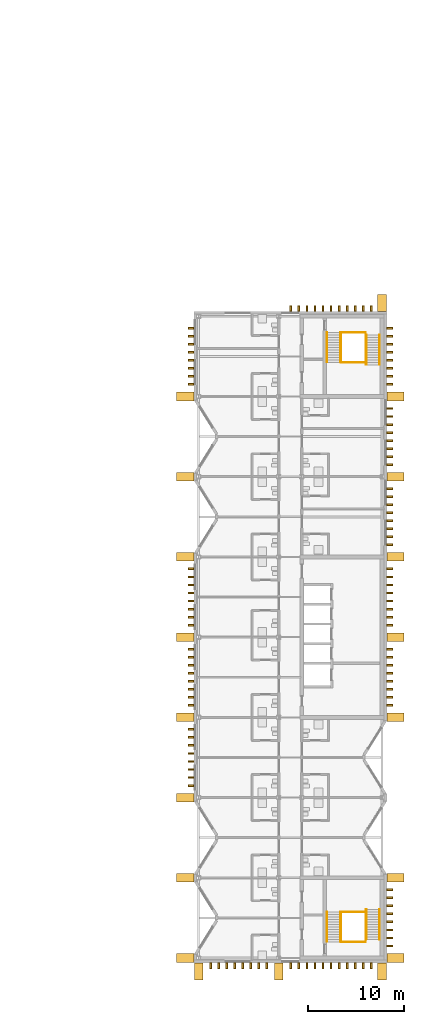
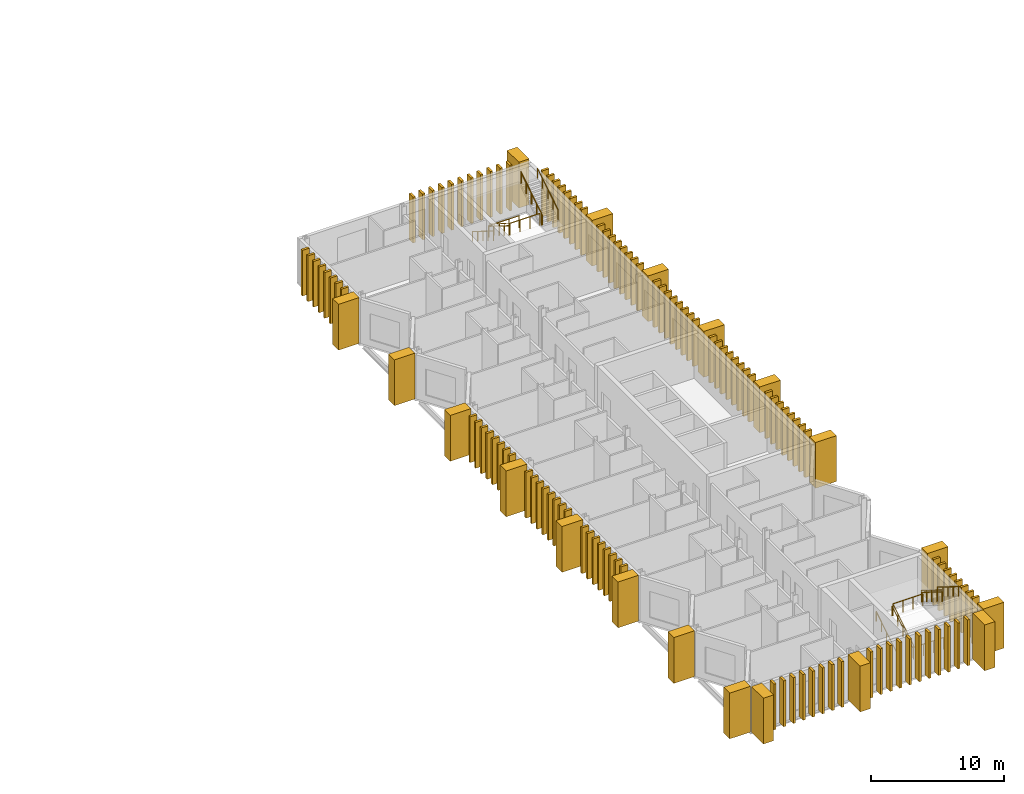
# One storey, part 16 of 17: 129 coverings, 16 railings.
"""IFC4 building model written with IfcOpenShell, lengths in metres."""

from ifc_helpers import new_model, si_unit, direction, frame, origin, origin_2d, place, context, subcontext, project, spatial, rectangle, circle, extrude, material, type_object, element, save


model = new_model("IFC4")

# Units and contexts
model_context = context("Model", 3, precision=1e-05, world=origin(), true_north=direction((0.0, 1.0)))
body_context = subcontext(model_context, "Body", "Model", "MODEL_VIEW")
ifc_project = project(units=[si_unit("LENGTHUNIT", "METRE"), si_unit("AREAUNIT", "SQUARE_METRE"), si_unit("VOLUMEUNIT", "CUBIC_METRE"), si_unit("PLANEANGLEUNIT", "RADIAN"), si_unit("MASSUNIT", "GRAM", prefix="KILO")], contexts=[model_context])

# Site, building, storey
site_placement = place(None, origin())
site = spatial("IfcSite", under=ifc_project, at=site_placement, CompositionType="ELEMENT")
building_placement = place(site_placement, origin())
building = spatial("IfcBuilding", under=site, at=building_placement, Name="Cresset Court Congress Hotel", CompositionType="ELEMENT")
storey_placement = place(building_placement, frame((0.0, 0.0, 31.199951171875)))
storey = spatial("IfcBuildingStorey", under=building, at=storey_placement, Name="L07", CompositionType="ELEMENT", Elevation=31.199951171875)

# Coverings
ifc_material_1 = material(Name="Precast concrete C50", Category="concrete")
covering_type_1 = type_object("IfcCoveringType", Name="Precast stone fin 200x600", PredefinedType="CLADDING", material=ifc_material_1)
for number, where, z_axis, x_axis, name in (
    (1, (177.199951171875, 1.260009765625, 0.0), (0.0, 0.0, 1.0), (1.0, 0.0, 0.0), "Fin E002"),
    (2, (177.199951171875, 2.10009765625, 0.0), (0.0, 0.0, 1.0), (1.0, 0.0, 0.0), "Fin E003"),
    (3, (177.199951171875, 2.93994140625, 0.0), (0.0, 0.0, 1.0), (1.0, 0.0, 0.0), "Fin E004"),
    (4, (177.199951171875, 3.780029296875, 0.0), (0.0, 0.0, 1.0), (1.0, 0.0, 0.0), "Fin E005"),
    (5, (177.199951171875, 4.6201171875, 0.0), (0.0, 0.0, 1.0), (1.0, 0.0, 0.0), "Fin E006"),
    (6, (177.199951171875, 5.4599609375, 0.0), (0.0, 0.0, 1.0), (1.0, 0.0, 0.0), "Fin E007"),
    (7, (177.199951171875, 6.300048828125, 0.0), (0.0, 0.0, 1.0), (1.0, 0.0, 0.0), "Fin E008"),
    (8, (177.199951171875, 7.139892578125, 0.0), (0.0, 0.0, 1.0), (1.0, 0.0, 0.0), "Fin E009"),
    (9, (177.199951171875, 26.4599609375, 0.0), (0.0, 0.0, 1.0), (1.0, 0.0, 0.0), "Fin E032"),
    (10, (177.199951171875, 27.300048828125, 0.0), (0.0, 0.0, 1.0), (1.0, 0.0, 0.0), "Fin E033"),
    (11, (177.199951171875, 28.139892578125, 0.0), (0.0, 0.0, 1.0), (1.0, 0.0, 0.0), "Fin E034"),
    (12, (177.199951171875, 28.97998046875, 0.0), (0.0, 0.0, 1.0), (1.0, 0.0, 0.0), "Fin E035"),
    (13, (177.199951171875, 29.820068359375, 0.0), (0.0, 0.0, 1.0), (1.0, 0.0, 0.0), "Fin E036"),
    (14, (177.199951171875, 30.659912109375, 0.0), (0.0, 0.0, 1.0), (1.0, 0.0, 0.0), "Fin E037"),
    (15, (177.199951171875, 31.5, 0.0), (0.0, 0.0, 1.0), (1.0, 0.0, 0.0), "Fin E038"),
    (16, (177.199951171875, 32.340087890625, 0.0), (0.0, 0.0, 1.0), (1.0, 0.0, 0.0), "Fin E039"),
    (17, (177.199951171875, 34.860107421875, 0.0), (0.0, 0.0, 1.0), (1.0, 0.0, 0.0), "Fin E042"),
    (18, (177.199951171875, 35.699951171875, 0.0), (0.0, 0.0, 1.0), (1.0, 0.0, 0.0), "Fin E043"),
    (19, (177.199951171875, 36.5400390625, 0.0), (0.0, 0.0, 1.0), (1.0, 0.0, 0.0), "Fin E044"),
    (20, (177.199951171875, 37.3798828125, 0.0), (0.0, 0.0, 1.0), (1.0, 0.0, 0.0), "Fin E045"),
    (21, (177.199951171875, 38.219970703125, 0.0), (0.0, 0.0, 1.0), (1.0, 0.0, 0.0), "Fin E046"),
    (22, (177.199951171875, 39.06005859375, 0.0), (0.0, 0.0, 1.0), (1.0, 0.0, 0.0), "Fin E047"),
    (23, (177.199951171875, 39.89990234375, 0.0), (0.0, 0.0, 1.0), (1.0, 0.0, 0.0), "Fin E048"),
    (24, (177.199951171875, 40.739990234375, 0.0), (0.0, 0.0, 1.0), (1.0, 0.0, 0.0), "Fin E049"),
    (25, (177.199951171875, 43.260009765625, 0.0), (0.0, 0.0, 1.0), (1.0, 0.0, 0.0), "Fin E052"),
    (26, (177.199951171875, 44.10009765625, 0.0), (0.0, 0.0, 1.0), (1.0, 0.0, 0.0), "Fin E053"),
    (27, (177.199951171875, 44.93994140625, 0.0), (0.0, 0.0, 1.0), (1.0, 0.0, 0.0), "Fin E054"),
    (28, (177.199951171875, 45.780029296875, 0.0), (0.0, 0.0, 1.0), (1.0, 0.0, 0.0), "Fin E055"),
    (29, (177.199951171875, 46.6201171875, 0.0), (0.0, 0.0, 1.0), (1.0, 0.0, 0.0), "Fin E056"),
    (30, (177.199951171875, 47.4599609375, 0.0), (0.0, 0.0, 1.0), (1.0, 0.0, 0.0), "Fin E057"),
    (31, (177.199951171875, 48.300048828125, 0.0), (0.0, 0.0, 1.0), (1.0, 0.0, 0.0), "Fin E058"),
    (32, (177.199951171875, 49.139892578125, 0.0), (0.0, 0.0, 1.0), (1.0, 0.0, 0.0), "Fin E059"),
    (33, (177.199951171875, 51.659912109375, 0.0), (0.0, 0.0, 1.0), (1.0, 0.0, 0.0), "Fin E062"),
    (34, (177.199951171875, 52.5, 0.0), (0.0, 0.0, 1.0), (1.0, 0.0, 0.0), "Fin E063"),
    (35, (177.199951171875, 53.340087890625, 0.0), (0.0, 0.0, 1.0), (1.0, 0.0, 0.0), "Fin E064"),
    (36, (177.199951171875, 54.179931640625, 0.0), (0.0, 0.0, 1.0), (1.0, 0.0, 0.0), "Fin E065"),
    (37, (177.199951171875, 55.02001953125, 0.0), (0.0, 0.0, 1.0), (1.0, 0.0, 0.0), "Fin E066"),
    (38, (177.199951171875, 55.860107421875, 0.0), (0.0, 0.0, 1.0), (1.0, 0.0, 0.0), "Fin E067"),
    (39, (177.199951171875, 56.699951171875, 0.0), (0.0, 0.0, 1.0), (1.0, 0.0, 0.0), "Fin E068"),
    (40, (177.199951171875, 57.5400390625, 0.0), (0.0, 0.0, 1.0), (1.0, 0.0, 0.0), "Fin E069"),
    (41, (177.199951171875, 60.06005859375, 0.0), (0.0, 0.0, 1.0), (1.0, 0.0, 0.0), "Fin E072"),
    (42, (177.199951171875, 60.89990234375, 0.0), (0.0, 0.0, 1.0), (1.0, 0.0, 0.0), "Fin E073"),
    (43, (177.199951171875, 61.739990234375, 0.0), (0.0, 0.0, 1.0), (1.0, 0.0, 0.0), "Fin E074"),
    (44, (177.199951171875, 62.580078125, 0.0), (0.0, 0.0, 1.0), (1.0, 0.0, 0.0), "Fin E075"),
    (45, (177.199951171875, 63.419921875, 0.0), (0.0, 0.0, 1.0), (1.0, 0.0, 0.0), "Fin E076"),
    (46, (177.199951171875, 64.260009765625, 0.0), (0.0, 0.0, 1.0), (1.0, 0.0, 0.0), "Fin E077"),
    (47, (177.199951171875, 65.10009765625, 0.0), (0.0, 0.0, 1.0), (1.0, 0.0, 0.0), "Fin E078"),
    (48, (177.199951171875, 65.93994140625, 0.0), (0.0, 0.0, 1.0), (1.0, 0.0, 0.0), "Fin E079"),
    (49, (156.39990234375, 18.06005859375, 0.0), (0.0, 0.0, 1.0), (1.0, 0.0, 0.0), "Fin W022"),
    (50, (156.39990234375, 18.89990234375, 0.0), (0.0, 0.0, 1.0), (1.0, 0.0, 0.0), "Fin W023"),
    (51, (156.39990234375, 19.739990234375, 0.0), (0.0, 0.0, 1.0), (1.0, 0.0, 0.0), "Fin W024"),
    (52, (156.39990234375, 20.580078125, 0.0), (0.0, 0.0, 1.0), (1.0, 0.0, 0.0), "Fin W025"),
    (53, (156.39990234375, 21.419921875, 0.0), (0.0, 0.0, 1.0), (1.0, 0.0, 0.0), "Fin W026"),
    (54, (156.39990234375, 22.260009765625, 0.0), (0.0, 0.0, 1.0), (1.0, 0.0, 0.0), "Fin W027"),
    (55, (156.39990234375, 23.10009765625, 0.0), (0.0, 0.0, 1.0), (1.0, 0.0, 0.0), "Fin W028"),
    (56, (156.39990234375, 23.93994140625, 0.0), (0.0, 0.0, 1.0), (1.0, 0.0, 0.0), "Fin W029"),
    (57, (156.39990234375, 26.4599609375, 0.0), (0.0, 0.0, 1.0), (1.0, 0.0, 0.0), "Fin W032"),
    (58, (156.39990234375, 27.300048828125, 0.0), (0.0, 0.0, 1.0), (1.0, 0.0, 0.0), "Fin W033"),
    (59, (156.39990234375, 28.139892578125, 0.0), (0.0, 0.0, 1.0), (1.0, 0.0, 0.0), "Fin W034"),
    (60, (156.39990234375, 28.97998046875, 0.0), (0.0, 0.0, 1.0), (1.0, 0.0, 0.0), "Fin W035"),
    (61, (156.39990234375, 29.820068359375, 0.0), (0.0, 0.0, 1.0), (1.0, 0.0, 0.0), "Fin W036"),
    (62, (156.39990234375, 30.659912109375, 0.0), (0.0, 0.0, 1.0), (1.0, 0.0, 0.0), "Fin W037"),
    (63, (156.39990234375, 31.5, 0.0), (0.0, 0.0, 1.0), (1.0, 0.0, 0.0), "Fin W038"),
    (64, (156.39990234375, 32.340087890625, 0.0), (0.0, 0.0, 1.0), (1.0, 0.0, 0.0), "Fin W039"),
    (65, (156.39990234375, 34.860107421875, 0.0), (0.0, 0.0, 1.0), (1.0, 0.0, 0.0), "Fin W042"),
    (66, (156.39990234375, 35.699951171875, 0.0), (0.0, 0.0, 1.0), (1.0, 0.0, 0.0), "Fin W043"),
    (67, (156.39990234375, 36.5400390625, 0.0), (0.0, 0.0, 1.0), (1.0, 0.0, 0.0), "Fin W044"),
    (68, (156.39990234375, 37.3798828125, 0.0), (0.0, 0.0, 1.0), (1.0, 0.0, 0.0), "Fin W045"),
    (69, (156.39990234375, 38.219970703125, 0.0), (0.0, 0.0, 1.0), (1.0, 0.0, 0.0), "Fin W046"),
    (70, (156.39990234375, 39.06005859375, 0.0), (0.0, 0.0, 1.0), (1.0, 0.0, 0.0), "Fin W047"),
    (71, (156.39990234375, 39.89990234375, 0.0), (0.0, 0.0, 1.0), (1.0, 0.0, 0.0), "Fin W048"),
    (72, (156.39990234375, 40.739990234375, 0.0), (0.0, 0.0, 1.0), (1.0, 0.0, 0.0), "Fin W049"),
    (73, (156.39990234375, 60.06005859375, 0.0), (0.0, 0.0, 1.0), (1.0, 0.0, 0.0), "Fin W072"),
    (74, (156.39990234375, 60.89990234375, 0.0), (0.0, 0.0, 1.0), (1.0, 0.0, 0.0), "Fin W073"),
    (75, (156.39990234375, 61.739990234375, 0.0), (0.0, 0.0, 1.0), (1.0, 0.0, 0.0), "Fin W074"),
    (76, (156.39990234375, 62.580078125, 0.0), (0.0, 0.0, 1.0), (1.0, 0.0, 0.0), "Fin W075"),
    (77, (156.39990234375, 63.419921875, 0.0), (0.0, 0.0, 1.0), (1.0, 0.0, 0.0), "Fin W076"),
    (78, (156.39990234375, 64.260009765625, 0.0), (0.0, 0.0, 1.0), (1.0, 0.0, 0.0), "Fin W077"),
    (79, (156.39990234375, 65.10009765625, 0.0), (0.0, 0.0, 1.0), (1.0, 0.0, 0.0), "Fin W078"),
    (80, (156.39990234375, 65.93994140625, 0.0), (0.0, 0.0, 1.0), (1.0, 0.0, 0.0), "Fin W079"),
):
    element("IfcCovering", number, at=place(storey_placement, frame(where, z_axis=z_axis, x_axis=x_axis)), inside=storey, type_object=covering_type_1, Name=name, PredefinedType="CLADDING", context=body_context, shape_type="SweptSolid", body=[
        extrude(rectangle(XDim=0.60009765625, YDim=0.199951171875, at=origin_2d()), origin(), (0.0, 0.0, 1.0), 4.199951171875),
    ])
for number, where, z_axis, x_axis, name in (
    (81, (158.4599609375, -0.800048828125, 0.0), (0.0, 0.0, 1.0), (1.0, 0.0, 0.0), "Fin S002"),
    (82, (159.300048828125, -0.800048828125, 0.0), (0.0, 0.0, 1.0), (1.0, 0.0, 0.0), "Fin S003"),
    (83, (160.139892578125, -0.800048828125, 0.0), (0.0, 0.0, 1.0), (1.0, 0.0, 0.0), "Fin S004"),
    (84, (160.97998046875, -0.800048828125, 0.0), (0.0, 0.0, 1.0), (1.0, 0.0, 0.0), "Fin S005"),
    (85, (161.820068359375, -0.800048828125, 0.0), (0.0, 0.0, 1.0), (1.0, 0.0, 0.0), "Fin S006"),
    (86, (162.659912109375, -0.800048828125, 0.0), (0.0, 0.0, 1.0), (1.0, 0.0, 0.0), "Fin S007"),
    (87, (163.5, -0.800048828125, 0.0), (0.0, 0.0, 1.0), (1.0, 0.0, 0.0), "Fin S008"),
    (88, (164.340087890625, -0.800048828125, 0.0), (0.0, 0.0, 1.0), (1.0, 0.0, 0.0), "Fin S009"),
    (89, (166.860107421875, -0.800048828125, 0.0), (0.0, 0.0, 1.0), (1.0, 0.0, 0.0), "Fin S012"),
    (90, (167.699951171875, -0.800048828125, 0.0), (0.0, 0.0, 1.0), (1.0, 0.0, 0.0), "Fin S013"),
    (91, (168.5400390625, -0.800048828125, 0.0), (0.0, 0.0, 1.0), (1.0, 0.0, 0.0), "Fin S014"),
    (92, (169.3798828125, -0.800048828125, 0.0), (0.0, 0.0, 1.0), (1.0, 0.0, 0.0), "Fin S015"),
    (93, (170.219970703125, -0.800048828125, 0.0), (0.0, 0.0, 1.0), (1.0, 0.0, 0.0), "Fin S016"),
    (94, (171.06005859375, -0.800048828125, 0.0), (0.0, 0.0, 1.0), (1.0, 0.0, 0.0), "Fin S017"),
    (95, (171.89990234375, -0.800048828125, 0.0), (0.0, 0.0, 1.0), (1.0, 0.0, 0.0), "Fin S018"),
    (96, (172.739990234375, -0.800048828125, 0.0), (0.0, 0.0, 1.0), (1.0, 0.0, 0.0), "Fin S019"),
    (97, (173.580078125, -0.800048828125, 0.0), (0.0, 0.0, 1.0), (1.0, 0.0, 0.0), "Fin S020"),
    (98, (174.419921875, -0.800048828125, 0.0), (0.0, 0.0, 1.0), (1.0, 0.0, 0.0), "Fin S021"),
    (99, (175.260009765625, -0.800048828125, 0.0), (0.0, 0.0, 1.0), (1.0, 0.0, 0.0), "Fin S022"),
    (100, (166.860107421875, 68.0, 0.0), (0.0, 0.0, 1.0), (1.0, 0.0, 0.0), "Fin N012"),
    (101, (167.699951171875, 68.0, 0.0), (0.0, 0.0, 1.0), (1.0, 0.0, 0.0), "Fin N013"),
    (102, (168.5400390625, 68.0, 0.0), (0.0, 0.0, 1.0), (1.0, 0.0, 0.0), "Fin N014"),
    (103, (169.3798828125, 68.0, 0.0), (0.0, 0.0, 1.0), (1.0, 0.0, 0.0), "Fin N015"),
    (104, (170.219970703125, 68.0, 0.0), (0.0, 0.0, 1.0), (1.0, 0.0, 0.0), "Fin N016"),
    (105, (171.06005859375, 68.0, 0.0), (0.0, 0.0, 1.0), (1.0, 0.0, 0.0), "Fin N017"),
    (106, (171.89990234375, 68.0, 0.0), (0.0, 0.0, 1.0), (1.0, 0.0, 0.0), "Fin N018"),
    (107, (172.739990234375, 68.0, 0.0), (0.0, 0.0, 1.0), (1.0, 0.0, 0.0), "Fin N019"),
    (108, (173.580078125, 68.0, 0.0), (0.0, 0.0, 1.0), (1.0, 0.0, 0.0), "Fin N020"),
    (109, (174.419921875, 68.0, 0.0), (0.0, 0.0, 1.0), (1.0, 0.0, 0.0), "Fin N021"),
    (110, (175.260009765625, 68.0, 0.0), (0.0, 0.0, 1.0), (1.0, 0.0, 0.0), "Fin N022"),
):
    element("IfcCovering", number, at=place(storey_placement, frame(where, z_axis=z_axis, x_axis=x_axis)), inside=storey, type_object=covering_type_1, Name=name, PredefinedType="CLADDING", context=body_context, shape_type="SweptSolid", body=[
        extrude(rectangle(XDim=0.199951171875, YDim=0.60009765625, at=origin_2d()), origin(), (0.0, 0.0, 1.0), 4.199951171875),
    ])
ifc_material_2 = material(Name="Precast concrete C50", Category="concrete")
covering_type_2 = type_object("IfcCoveringType", Name="Precast stone pier 900x1800", PredefinedType="CLADDING", material=ifc_material_2)
for number, where, z_axis, x_axis, name in (
    (111, (177.800048828125, 0.0, 0.0), (0.0, 0.0, 1.0), (1.0, 0.0, 0.0), "Pier E01"),
    (112, (177.800048828125, 8.39990234375, 0.0), (0.0, 0.0, 1.0), (1.0, 0.0, 0.0), "Pier E02"),
    (113, (177.800048828125, 25.199951171875, 0.0), (0.0, 0.0, 1.0), (1.0, 0.0, 0.0), "Pier E03"),
    (114, (177.800048828125, 33.60009765625, 0.0), (0.0, 0.0, 1.0), (1.0, 0.0, 0.0), "Pier E04"),
    (115, (177.800048828125, 42.0, 0.0), (0.0, 0.0, 1.0), (1.0, 0.0, 0.0), "Pier E05"),
    (116, (177.800048828125, 50.39990234375, 0.0), (0.0, 0.0, 1.0), (1.0, 0.0, 0.0), "Pier E06"),
    (117, (177.800048828125, 58.800048828125, 0.0), (0.0, 0.0, 1.0), (1.0, 0.0, 0.0), "Pier E07"),
    (118, (155.800048828125, 0.0, 0.0), (0.0, 0.0, 1.0), (1.0, 0.0, 0.0), "Pier W01"),
    (119, (155.800048828125, 8.39990234375, 0.0), (0.0, 0.0, 1.0), (1.0, 0.0, 0.0), "Pier W02"),
    (120, (155.800048828125, 16.800048828125, 0.0), (0.0, 0.0, 1.0), (1.0, 0.0, 0.0), "Pier W03"),
    (121, (155.800048828125, 25.199951171875, 0.0), (0.0, 0.0, 1.0), (1.0, 0.0, 0.0), "Pier W04"),
    (122, (155.800048828125, 33.60009765625, 0.0), (0.0, 0.0, 1.0), (1.0, 0.0, 0.0), "Pier W05"),
    (123, (155.800048828125, 42.0, 0.0), (0.0, 0.0, 1.0), (1.0, 0.0, 0.0), "Pier W06"),
    (124, (155.800048828125, 50.39990234375, 0.0), (0.0, 0.0, 1.0), (1.0, 0.0, 0.0), "Pier W07"),
    (125, (155.800048828125, 58.800048828125, 0.0), (0.0, 0.0, 1.0), (1.0, 0.0, 0.0), "Pier W08"),
):
    element("IfcCovering", number, at=place(storey_placement, frame(where, z_axis=z_axis, x_axis=x_axis)), inside=storey, type_object=covering_type_2, Name=name, PredefinedType="CLADDING", context=body_context, shape_type="SweptSolid", body=[
        extrude(rectangle(XDim=1.800048828125, YDim=0.89990234375, at=origin_2d()), origin(), (0.0, 0.0, 1.0), 4.199951171875),
    ])
for number, where, z_axis, x_axis, name in (
    (126, (157.199951171875, -1.39990234375, 0.0), (0.0, 0.0, 1.0), (1.0, 0.0, 0.0), "Pier S01"),
    (127, (165.60009765625, -1.39990234375, 0.0), (0.0, 0.0, 1.0), (1.0, 0.0, 0.0), "Pier S02"),
    (128, (176.39990234375, -1.39990234375, 0.0), (0.0, 0.0, 1.0), (1.0, 0.0, 0.0), "Pier S03"),
    (129, (176.39990234375, 68.60009765625, 0.0), (0.0, 0.0, 1.0), (1.0, 0.0, 0.0), "Pier N03"),
):
    element("IfcCovering", number, at=place(storey_placement, frame(where, z_axis=z_axis, x_axis=x_axis)), inside=storey, type_object=covering_type_2, Name=name, PredefinedType="CLADDING", context=body_context, shape_type="SweptSolid", body=[
        extrude(rectangle(XDim=0.89990234375, YDim=1.800048828125, at=origin_2d()), origin(), (0.0, 0.0, 1.0), 4.199951171875),
    ])

# Railings
ifc_material_3 = material(Name="Stainless steel", Category="steel")
railing_type_1 = type_object("IfcRailingType", Name="Stair guard 1100", PredefinedType="GUARDRAIL", material=ifc_material_3)
railing_1_placement = place(storey_placement, frame((172.10009765625, 1.699951171875, 0.16162109375)))
element("IfcRailing", 130, at=railing_1_placement, inside=storey, type_object=railing_type_1, Name="Guard A1 L07", PredefinedType="GUARDRAIL", context=body_context, shape_type="SweptSolid", body=[
    extrude(circle(Radius=0.02392578125, at=origin_2d()), frame((0.0, 0.0, 1.076171875), z_axis=(0.0, 0.849414166554, 0.527726798313), x_axis=(-1.0, 0.0, 0.0)), (0.0, 0.0, 1.0), 3.67333984375),
    extrude(circle(Radius=0.02099609375, at=origin_2d()), origin(), (0.0, 0.0, 1.0), 1.052001953125),
    extrude(circle(Radius=0.02099609375, at=origin_2d()), frame((0.0, 0.780029296875, 0.484619140625)), (0.0, 0.0, 1.0), 1.052001953125),
    extrude(circle(Radius=0.02099609375, at=origin_2d()), frame((0.0, 1.56005859375, 0.96923828125)), (0.0, 0.0, 1.0), 1.052001953125),
    extrude(circle(Radius=0.02099609375, at=origin_2d()), frame((0.0, 2.340087890625, 1.453857421875)), (0.0, 0.0, 1.0), 1.052001953125),
    extrude(circle(Radius=0.02099609375, at=origin_2d()), frame((0.0, 3.1201171875, 1.9384765625)), (0.0, 0.0, 1.0), 1.052001953125),
])
railing_2_placement = place(storey_placement, frame((174.699951171875, 5.080078125, 2.261474609375)))
element("IfcRailing", 131, at=railing_2_placement, inside=storey, type_object=railing_type_1, Name="Guard A1 L07", PredefinedType="GUARDRAIL", context=body_context, shape_type="SweptSolid", body=[
    extrude(circle(Radius=0.02392578125, at=origin_2d()), frame((0.0, 0.0, 1.076171875), z_axis=(0.0, -0.849414166554, 0.527726798313), x_axis=(1.0, 0.0, 0.0)), (0.0, 0.0, 1.0), 3.67333984375),
    extrude(circle(Radius=0.02099609375, at=origin_2d()), origin(), (0.0, 0.0, 1.0), 1.052001953125),
    extrude(circle(Radius=0.02099609375, at=origin_2d()), frame((0.0, -0.780029296875, 0.484619140625)), (0.0, 0.0, 1.0), 1.052001953125),
    extrude(circle(Radius=0.02099609375, at=origin_2d()), frame((0.0, -1.56005859375, 0.96923828125)), (0.0, 0.0, 1.0), 1.052001953125),
    extrude(circle(Radius=0.02099609375, at=origin_2d()), frame((0.0, -2.340087890625, 1.453857421875)), (0.0, 0.0, 1.0), 1.052001953125),
    extrude(circle(Radius=0.02099609375, at=origin_2d()), frame((0.0, -3.1201171875, 1.9384765625)), (0.0, 0.0, 1.0), 1.052001953125),
])
for number, where, name in (
    (132, (172.10009765625, 1.699951171875, 0.0), "Guard A1 L07"),
    (133, (172.10009765625, 4.820068359375, 2.10009765625), "Guard A1 L07"),
):
    element("IfcRailing", number, at=place(storey_placement, frame(where)), inside=storey, type_object=railing_type_1, Name=name, PredefinedType="GUARDRAIL", context=body_context, shape_type="SweptSolid", body=[
        extrude(circle(Radius=0.02392578125, at=origin_2d()), frame((0.0, 0.0, 1.076171875), z_axis=(1.0, 0.0, 0.0), x_axis=(0.0, 1.0, 0.0)), (0.0, 0.0, 1.0), 2.599853515625),
        extrude(circle(Radius=0.02099609375, at=origin_2d()), origin(), (0.0, 0.0, 1.0), 1.052001953125),
        extrude(circle(Radius=0.02099609375, at=origin_2d()), frame((0.86669921875, 0.0, 0.0)), (0.0, 0.0, 1.0), 1.052001953125),
        extrude(circle(Radius=0.02099609375, at=origin_2d()), frame((1.733154296875, 0.0, 0.0)), (0.0, 0.0, 1.0), 1.052001953125),
        extrude(circle(Radius=0.02099609375, at=origin_2d()), frame((2.599853515625, 0.0, 0.0)), (0.0, 0.0, 1.0), 1.052001953125),
    ])
railing_3_placement = place(storey_placement, frame((172.10009765625, 65.5, 0.16162109375)))
element("IfcRailing", 134, at=railing_3_placement, inside=storey, type_object=railing_type_1, Name="Guard A2 L07", PredefinedType="GUARDRAIL", context=body_context, shape_type="SweptSolid", body=[
    extrude(circle(Radius=0.02392578125, at=origin_2d()), frame((0.0, 0.0, 1.076171875), z_axis=(0.0, -0.849414166554, 0.527726798313), x_axis=(1.0, 0.0, 0.0)), (0.0, 0.0, 1.0), 3.67333984375),
    extrude(circle(Radius=0.02099609375, at=origin_2d()), origin(), (0.0, 0.0, 1.0), 1.052001953125),
    extrude(circle(Radius=0.02099609375, at=origin_2d()), frame((0.0, -0.780029296875, 0.484619140625)), (0.0, 0.0, 1.0), 1.052001953125),
    extrude(circle(Radius=0.02099609375, at=origin_2d()), frame((0.0, -1.56005859375, 0.96923828125)), (0.0, 0.0, 1.0), 1.052001953125),
    extrude(circle(Radius=0.02099609375, at=origin_2d()), frame((0.0, -2.340087890625, 1.453857421875)), (0.0, 0.0, 1.0), 1.052001953125),
    extrude(circle(Radius=0.02099609375, at=origin_2d()), frame((0.0, -3.1201171875, 1.9384765625)), (0.0, 0.0, 1.0), 1.052001953125),
])
railing_4_placement = place(storey_placement, frame((174.699951171875, 62.1201171875, 2.261474609375)))
element("IfcRailing", 135, at=railing_4_placement, inside=storey, type_object=railing_type_1, Name="Guard A2 L07", PredefinedType="GUARDRAIL", context=body_context, shape_type="SweptSolid", body=[
    extrude(circle(Radius=0.02392578125, at=origin_2d()), frame((0.0, 0.0, 1.076171875), z_axis=(0.0, 0.849395654964, 0.52775659288), x_axis=(-1.0, 0.0, 0.0)), (0.0, 0.0, 1.0), 3.673095703125),
    extrude(circle(Radius=0.02099609375, at=origin_2d()), origin(), (0.0, 0.0, 1.0), 1.052001953125),
    extrude(circle(Radius=0.02099609375, at=origin_2d()), frame((0.0, 0.780029296875, 0.484619140625)), (0.0, 0.0, 1.0), 1.052001953125),
    extrude(circle(Radius=0.02099609375, at=origin_2d()), frame((0.0, 1.56005859375, 0.96923828125)), (0.0, 0.0, 1.0), 1.052001953125),
    extrude(circle(Radius=0.02099609375, at=origin_2d()), frame((0.0, 2.33984375, 1.453857421875)), (0.0, 0.0, 1.0), 1.052001953125),
    extrude(circle(Radius=0.02099609375, at=origin_2d()), frame((0.0, 3.119873046875, 1.9384765625)), (0.0, 0.0, 1.0), 1.052001953125),
])
for number, where, name in (
    (136, (172.10009765625, 65.5, 0.0), "Guard A2 L07"),
    (137, (172.10009765625, 62.3798828125, 2.10009765625), "Guard A2 L07"),
):
    element("IfcRailing", number, at=place(storey_placement, frame(where)), inside=storey, type_object=railing_type_1, Name=name, PredefinedType="GUARDRAIL", context=body_context, shape_type="SweptSolid", body=[
        extrude(circle(Radius=0.02392578125, at=origin_2d()), frame((0.0, 0.0, 1.076171875), z_axis=(1.0, 0.0, 0.0), x_axis=(0.0, 1.0, 0.0)), (0.0, 0.0, 1.0), 2.599853515625),
        extrude(circle(Radius=0.02099609375, at=origin_2d()), origin(), (0.0, 0.0, 1.0), 1.052001953125),
        extrude(circle(Radius=0.02099609375, at=origin_2d()), frame((0.86669921875, 0.0, 0.0)), (0.0, 0.0, 1.0), 1.052001953125),
        extrude(circle(Radius=0.02099609375, at=origin_2d()), frame((1.733154296875, 0.0, 0.0)), (0.0, 0.0, 1.0), 1.052001953125),
        extrude(circle(Radius=0.02099609375, at=origin_2d()), frame((2.599853515625, 0.0, 0.0)), (0.0, 0.0, 1.0), 1.052001953125),
    ])
ifc_material_4 = material(Name="Stainless steel", Category="steel")
railing_type_2 = type_object("IfcRailingType", Name="Stair handrail 900", PredefinedType="HANDRAIL", material=ifc_material_4)
for number, where, name in (
    (138, (170.659912109375, 1.699951171875, 0.16162109375), "Handrail A1 L07"),
    (139, (172.0400390625, 1.699951171875, 0.16162109375), "Handrail A1 L07"),
):
    element("IfcRailing", number, at=place(storey_placement, frame(where)), inside=storey, type_object=railing_type_2, Name=name, PredefinedType="HANDRAIL", context=body_context, shape_type="SweptSolid", body=[
        extrude(circle(Radius=0.02392578125, at=origin_2d()), frame((0.0, 0.0, 0.8759765625), z_axis=(0.0, 0.849414166554, 0.527726798313), x_axis=(-1.0, 0.0, 0.0)), (0.0, 0.0, 1.0), 3.67333984375),
        extrude(circle(Radius=0.02099609375, at=origin_2d()), origin(), (0.0, 0.0, 1.0), 0.851806640625),
        extrude(circle(Radius=0.02099609375, at=origin_2d()), frame((0.0, 0.780029296875, 0.484619140625)), (0.0, 0.0, 1.0), 0.851806640625),
        extrude(circle(Radius=0.02099609375, at=origin_2d()), frame((0.0, 1.56005859375, 0.96923828125)), (0.0, 0.0, 1.0), 0.851806640625),
        extrude(circle(Radius=0.02099609375, at=origin_2d()), frame((0.0, 2.340087890625, 1.453857421875)), (0.0, 0.0, 1.0), 0.851806640625),
        extrude(circle(Radius=0.02099609375, at=origin_2d()), frame((0.0, 3.1201171875, 1.9384765625)), (0.0, 0.0, 1.0), 0.851806640625),
    ])
for number, where, name in (
    (140, (174.760009765625, 5.080078125, 2.261474609375), "Handrail A1 L07"),
    (141, (176.139892578125, 5.080078125, 2.261474609375), "Handrail A1 L07"),
    (142, (170.659912109375, 65.5, 0.16162109375), "Handrail A2 L07"),
    (143, (172.0400390625, 65.5, 0.16162109375), "Handrail A2 L07"),
):
    element("IfcRailing", number, at=place(storey_placement, frame(where)), inside=storey, type_object=railing_type_2, Name=name, PredefinedType="HANDRAIL", context=body_context, shape_type="SweptSolid", body=[
        extrude(circle(Radius=0.02392578125, at=origin_2d()), frame((0.0, 0.0, 0.8759765625), z_axis=(0.0, -0.849414166554, 0.527726798313), x_axis=(1.0, 0.0, 0.0)), (0.0, 0.0, 1.0), 3.67333984375),
        extrude(circle(Radius=0.02099609375, at=origin_2d()), origin(), (0.0, 0.0, 1.0), 0.851806640625),
        extrude(circle(Radius=0.02099609375, at=origin_2d()), frame((0.0, -0.780029296875, 0.484619140625)), (0.0, 0.0, 1.0), 0.851806640625),
        extrude(circle(Radius=0.02099609375, at=origin_2d()), frame((0.0, -1.56005859375, 0.96923828125)), (0.0, 0.0, 1.0), 0.851806640625),
        extrude(circle(Radius=0.02099609375, at=origin_2d()), frame((0.0, -2.340087890625, 1.453857421875)), (0.0, 0.0, 1.0), 0.851806640625),
        extrude(circle(Radius=0.02099609375, at=origin_2d()), frame((0.0, -3.1201171875, 1.9384765625)), (0.0, 0.0, 1.0), 0.851806640625),
    ])
for number, where, name in (
    (144, (174.760009765625, 62.1201171875, 2.261474609375), "Handrail A2 L07"),
    (145, (176.139892578125, 62.1201171875, 2.261474609375), "Handrail A2 L07"),
):
    element("IfcRailing", number, at=place(storey_placement, frame(where)), inside=storey, type_object=railing_type_2, Name=name, PredefinedType="HANDRAIL", context=body_context, shape_type="SweptSolid", body=[
        extrude(circle(Radius=0.02392578125, at=origin_2d()), frame((0.0, 0.0, 0.8759765625), z_axis=(0.0, 0.849395654964, 0.52775659288), x_axis=(-1.0, 0.0, 0.0)), (0.0, 0.0, 1.0), 3.673095703125),
        extrude(circle(Radius=0.02099609375, at=origin_2d()), origin(), (0.0, 0.0, 1.0), 0.851806640625),
        extrude(circle(Radius=0.02099609375, at=origin_2d()), frame((0.0, 0.780029296875, 0.484619140625)), (0.0, 0.0, 1.0), 0.851806640625),
        extrude(circle(Radius=0.02099609375, at=origin_2d()), frame((0.0, 1.56005859375, 0.96923828125)), (0.0, 0.0, 1.0), 0.851806640625),
        extrude(circle(Radius=0.02099609375, at=origin_2d()), frame((0.0, 2.33984375, 1.453857421875)), (0.0, 0.0, 1.0), 0.851806640625),
        extrude(circle(Radius=0.02099609375, at=origin_2d()), frame((0.0, 3.119873046875, 1.9384765625)), (0.0, 0.0, 1.0), 0.851806640625),
    ])

save(model, "model.ifc")
